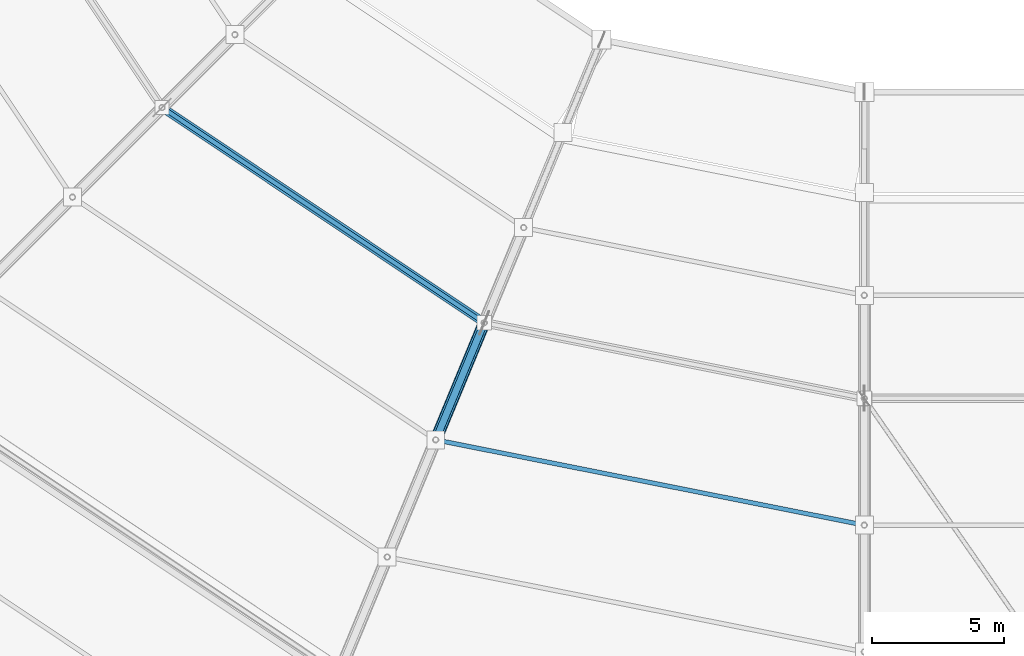
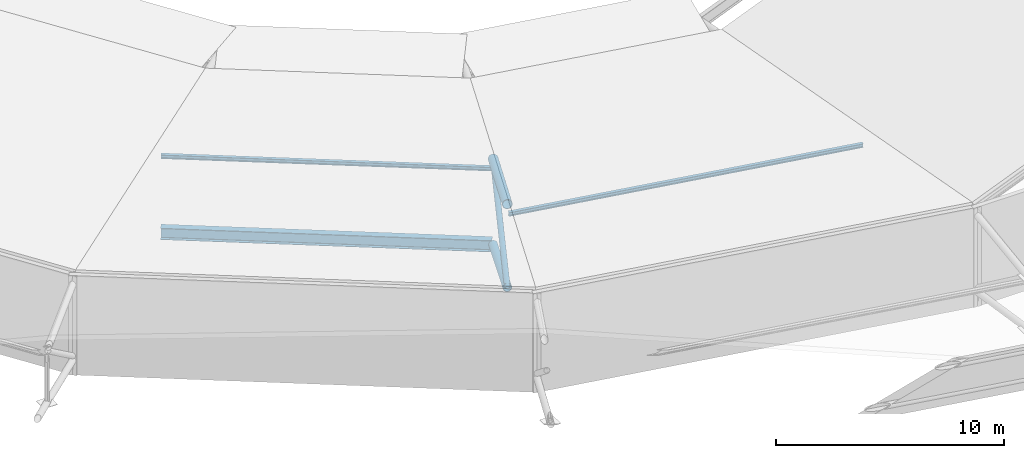
# One storey, part 18 of 146: 5 members, 1 beam.
"""IFC4 building model written with IfcOpenShell, lengths in metres."""

from ifc_helpers import new_model, si_unit, direction, frame, origin, origin_2d, place, context, subcontext, project, spatial, hollow_circle, i_section, extrude, material, material_profile, profile_set, type_object, element, save


model = new_model("IFC4")

# Units and contexts
model_context = context("Model", 3, precision=1e-05, world=origin(), true_north=direction((0.0, 1.0)))
body_context = subcontext(model_context, "Body", "Model", "MODEL_VIEW")
ifc_project = project(units=[si_unit("LENGTHUNIT", "METRE"), si_unit("AREAUNIT", "SQUARE_METRE"), si_unit("VOLUMEUNIT", "CUBIC_METRE"), si_unit("PLANEANGLEUNIT", "RADIAN"), si_unit("MASSUNIT", "GRAM", prefix="KILO")], contexts=[model_context])

# Site, building, storey
site_placement = place(None, origin())
site = spatial("IfcSite", under=ifc_project, at=site_placement, CompositionType="ELEMENT")
building_placement = place(site_placement, origin())
building = spatial("IfcBuilding", under=site, at=building_placement, Name="Candeia Ridge Stadium", CompositionType="ELEMENT")
storey_placement = place(building_placement, frame((0.0, 0.0, 31.800048828125)))
storey = spatial("IfcBuildingStorey", under=building, at=storey_placement, Name="RF", CompositionType="ELEMENT", Elevation=31.800048828125)

# Beam
ifc_material = material(Name="Steel ASTM A572 Grade 50", Category="steel")
ifc_material_profile_1 = material_profile(ifc_material, i_section(OverallWidth=0.324951171875, OverallDepth=0.615966796875, WebThickness=0.013916015625, FlangeThickness=0.021484375, FilletRadius=0.014892578125, at=origin_2d()), Name="W610x174", Category="steel")
ifc_profile_set_1 = profile_set([ifc_material_profile_1], Name="Steel ASTM A572 Grade 50")
beam_type = type_object("IfcBeamType", Name="Roof Compression Ring Beam W610x174", PredefinedType="BEAM", material=ifc_profile_set_1)
beam_placement = place(storey_placement, frame((44.446044921875, 44.390625, -2.6640625), z_axis=(0.831470639349, -0.555568695933, 0.0), x_axis=(0.555568695933, 0.831470639349, 0.0)))
element("IfcBeam", 1, at=beam_placement, inside=storey, type_object=beam_type, Name="Roof compression ring beam bay 17", PredefinedType="BEAM", context=body_context, shape_type="SweptSolid", body=[
    extrude(i_section(OverallWidth=0.324951171875, OverallDepth=0.615966796875, WebThickness=0.013916015625, FlangeThickness=0.021484375, FilletRadius=0.014892578125, at=origin_2d()), origin(), (0.0, 0.0, 1.0), 14.5908203125),
])

# Members
ifc_material_profile_2 = material_profile(ifc_material, i_section(OverallWidth=0.1650390625, OverallDepth=0.200927734375, WebThickness=0.006103515625, FlangeThickness=0.01025390625, FilletRadius=0.010009765625, at=origin_2d()), Name="W200x35.9", Category="steel")
ifc_profile_set_2 = profile_set([ifc_material_profile_2], Name="Steel ASTM A572 Grade 50")
member_type_1 = type_object("IfcMemberType", Name="Roof Purlin W200x35.9", PredefinedType="PURLIN", material=ifc_profile_set_2)
member_1_placement = place(storey_placement, frame((44.454345703125, 44.385009765625, 1.416015625), z_axis=(0.831467264983, -0.555573746016, 0.0), x_axis=(0.555573746016, 0.831467264983, 0.0)))
element("IfcMember", 2, at=member_1_placement, inside=storey, type_object=member_type_1, Name="Saddle roof steel purlin bay 17-2", PredefinedType="PURLIN", context=body_context, shape_type="SweptSolid", body=[
    extrude(i_section(OverallWidth=0.1650390625, OverallDepth=0.200927734375, WebThickness=0.006103515625, FlangeThickness=0.01025390625, FilletRadius=0.010009765625, at=origin_2d()), origin(), (0.0, 0.0, 1.0), 14.57080078125),
])
member_2_placement = place(storey_placement, frame((54.8232421875, 31.81787109375, 2.303955078125), z_axis=(0.980785144259, -0.195091006457, 0.0), x_axis=(0.195091006457, 0.980785144259, 0.0)))
element("IfcMember", 3, at=member_2_placement, inside=storey, type_object=member_type_1, Name="Saddle roof steel purlin bay 18-3", PredefinedType="PURLIN", context=body_context, shape_type="SweptSolid", body=[
    extrude(i_section(OverallWidth=0.1650390625, OverallDepth=0.200927734375, WebThickness=0.006103515625, FlangeThickness=0.01025390625, FilletRadius=0.010009765625, at=origin_2d()), origin(), (0.0, 0.0, 1.0), 16.443603515625),
])
ifc_material_profile_3 = material_profile(ifc_material, hollow_circle(Radius=0.136474609375, WallThickness=0.010009765625, at=origin_2d()), Name="CHS273x10", Category="steel")
ifc_profile_set_3 = profile_set([ifc_material_profile_3], Name="Steel ASTM A572 Grade 50")
member_type_2 = type_object("IfcMemberType", Name="Roof Truss Heavy Web Brace CHS273x10", PredefinedType="BRACE", material=ifc_profile_set_3)
member_3_placement = place(storey_placement, frame((56.611083984375, 36.26220703125, 1.93603515625), z_axis=(-0.306791934683, -0.740679890153, -0.597722351211), x_axis=(0.923882937544, -0.382675211785, 0.0)))
element("IfcMember", 4, at=member_3_placement, inside=storey, type_object=member_type_2, Name="Roof cantilever truss RT-18 diagonal web 4", PredefinedType="BRACE", context=body_context, shape_type="SweptSolid", body=[
    extrude(hollow_circle(Radius=0.136474609375, WallThickness=0.010009765625, at=origin_2d()), origin(), (0.0, 0.0, 1.0), 5.987548828125),
])
ifc_material_profile_4 = material_profile(ifc_material, hollow_circle(Radius=0.228515625, WallThickness=0.02001953125, at=origin_2d()), Name="CHS457x20", Category="steel")
ifc_profile_set_4 = profile_set([ifc_material_profile_4], Name="Steel ASTM A572 Grade 50")
member_type_3 = type_object("IfcMemberType", Name="Roof Truss Main Chord CHS457x20", PredefinedType="CHORD", material=ifc_profile_set_4)
member_4_placement = place(storey_placement, frame((56.611083984375, 36.26220703125, 1.93603515625), z_axis=(-0.376291464053, -0.908470819314, 0.181894212488), x_axis=(0.923882937544, -0.382675211785, 0.0)))
element("IfcMember", 5, at=member_4_placement, inside=storey, type_object=member_type_3, Name="Roof cantilever truss RT-18 top chord 4", PredefinedType="CHORD", context=body_context, shape_type="SweptSolid", body=[
    extrude(hollow_circle(Radius=0.228515625, WallThickness=0.02001953125, at=origin_2d()), origin(), (0.0, 0.0, 1.0), 4.881591796875),
])
ifc_material_profile_5 = material_profile(ifc_material, hollow_circle(Radius=0.202880859375, WallThickness=0.01611328125, at=origin_2d()), Name="CHS406x16", Category="steel")
ifc_profile_set_5 = profile_set([ifc_material_profile_5], Name="Steel ASTM A572 Grade 50")
member_type_4 = type_object("IfcMemberType", Name="Roof Truss Outer Chord CHS406x16", PredefinedType="CHORD", material=ifc_profile_set_5)
member_5_placement = place(storey_placement, frame((56.611083984375, 36.26220703125, -2.6640625), z_axis=(-0.374298115224, -0.903658328422, 0.208092639019), x_axis=(0.923882937544, -0.382675211785, 0.0)))
element("IfcMember", 6, at=member_5_placement, inside=storey, type_object=member_type_4, Name="Roof cantilever truss RT-18 bottom chord 4", PredefinedType="CHORD", context=body_context, shape_type="SweptSolid", body=[
    extrude(hollow_circle(Radius=0.202880859375, WallThickness=0.01611328125, at=origin_2d()), origin(), (0.0, 0.0, 1.0), 4.90771484375),
])

save(model, "model.ifc")
